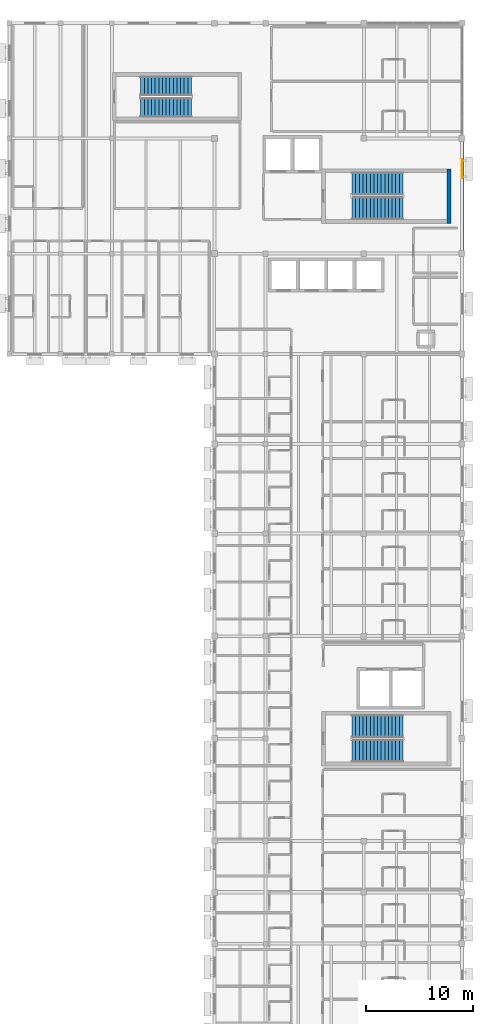
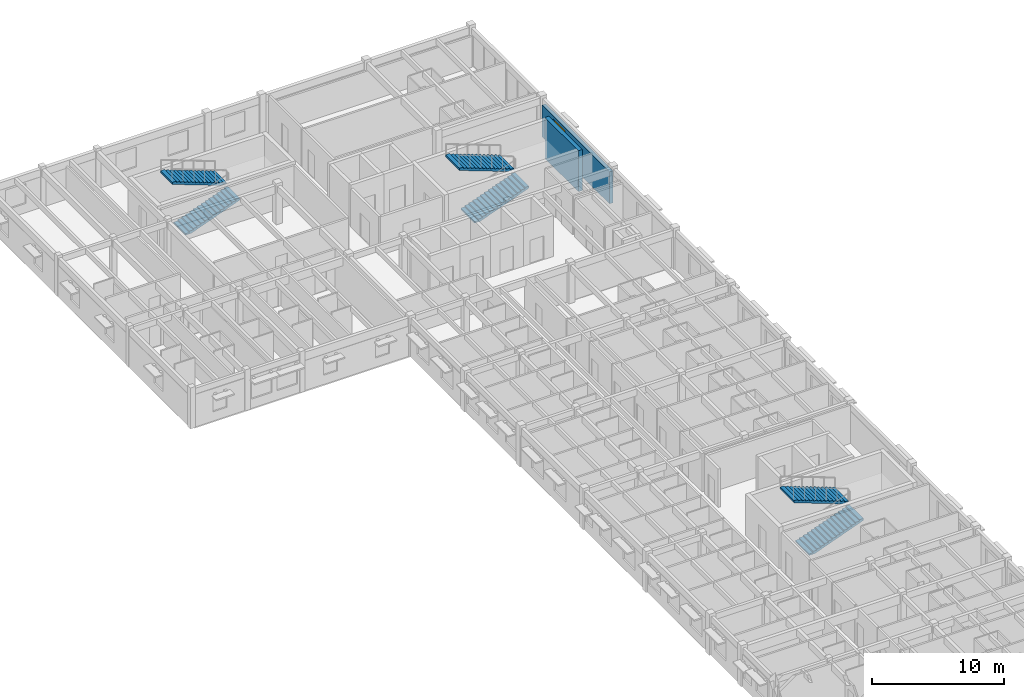
# One storey, part 21 of 31: 6 stair flights, 2 walls, 1 window, 1 opening, 3 elements without a shape of their own.
"""IFC4 building model written with IfcOpenShell, lengths in metres."""

from ifc_helpers import new_model, si_unit, direction, frame, frame_2d, origin, place, context, subcontext, project, spatial, polyline, rectangle, outline, extrude, material, layer, layer_set, type_object, element, fill, aggregate, save


model = new_model("IFC4")

# Units and contexts
model_context = context("Model", 3, precision=1e-05, world=origin(), true_north=direction((0.0, 1.0)))
body_context = subcontext(model_context, "Body", "Model", "MODEL_VIEW")
ifc_project = project(units=[si_unit("LENGTHUNIT", "METRE"), si_unit("AREAUNIT", "SQUARE_METRE"), si_unit("VOLUMEUNIT", "CUBIC_METRE"), si_unit("PLANEANGLEUNIT", "RADIAN"), si_unit("MASSUNIT", "GRAM", prefix="KILO")], contexts=[model_context])

# Site, building, storey
site_placement = place(None, origin())
site = spatial("IfcSite", under=ifc_project, at=site_placement, CompositionType="ELEMENT")
building_placement = place(site_placement, origin())
building = spatial("IfcBuilding", under=site, at=building_placement, Name="Veldera Park Congress Hotel", CompositionType="ELEMENT")
storey_placement = place(building_placement, frame((0.0, 0.0, 20.0)))
storey = spatial("IfcBuildingStorey", under=building, at=storey_placement, Name="L04", CompositionType="ELEMENT", Elevation=20.0)

# Wall, opening, window
ifc_material_1 = material(Name="Cross-laminated timber CLT V2M1.1", Category="wood")
ifc_layer_1 = layer(ifc_material_1, 0.320068359375)
ifc_layer_set_1 = layer_set([ifc_layer_1], Name="Cross-laminated timber CLT V2M1.1")
wall_type_1 = type_object("IfcWallType", Name="EW-CLT320", PredefinedType="STANDARD", material=ifc_layer_set_1)
wall_1_placement = place(storey_placement, frame((84.0, 36.677978515625, 0.0), z_axis=(0.0, 0.0, 1.0), x_axis=(0.0, 1.0, 0.0)))
wall_1 = element("IfcWall", 1, at=wall_1_placement, inside=storey, type_object=wall_type_1, Name="L04 Exterior Wall EW3-L04-0255", PredefinedType="STANDARD", context=body_context, shape_type="SweptSolid", body=[
    extrude(rectangle(XDim=10.244140625, YDim=0.320068359375, at=frame_2d((5.1220703125, 0.0))), origin(), (0.0, 0.0, 1.0), 2.965087890625),
])
opening_placement = place(wall_1_placement, frame((6.782958984375, 0.0, 0.85009765625)))
opening = element("IfcOpeningElement", 2, at=opening_placement, cuts=wall_1, Name="Opening WIN-1800", PredefinedType="OPENING", context=body_context, shape_type="SweptSolid", body=[
    extrude(rectangle(XDim=1.800048828125, YDim=1.85009765625, at=frame_2d((0.89990234375, 0.925048828125))), frame((0.0, 0.172119140625, 0.0), z_axis=(0.0, -1.0, 0.0), x_axis=(1.0, 0.0, 0.0)), (0.0, 0.0, 1.0), 0.343994140625),
])
ifc_material_2 = material(Name="Low-E Triple Insulating Glass Unit (SHGC 0.22)", Category="glass")
window_type = type_object("IfcWindowType", Name="WIN-1800", PartitioningType="SINGLE_PANEL", PredefinedType="WINDOW", material=ifc_material_2)
window_placement = place(opening_placement, origin())
window = element("IfcWindow", 3, at=window_placement, inside=storey, type_object=window_type, Name="L04 Window WIN-1800 204", OverallHeight=1.85009765625, OverallWidth=1.800048828125, PartitioningType="SINGLE_PANEL", PredefinedType="WINDOW", context=body_context, shape_type="SweptSolid", body=[
    extrude(rectangle(XDim=1.800048828125, YDim=1.85009765625, at=frame_2d((0.89990234375, 0.925048828125))), frame((0.0, 0.030029296875, 0.0), z_axis=(0.0, -1.0, 0.0), x_axis=(1.0, 0.0, 0.0)), (0.0, 0.0, 1.0), 0.06005859375),
])
fill(opening, window)

# Wall
ifc_material_3 = material(Name="Concrete f'c 40 MPa (5,800 psi)", Category="concrete")
ifc_layer_2 = layer(ifc_material_3, 0.35009765625)
ifc_layer_set_2 = layer_set([ifc_layer_2], Name="Concrete f'c 40 MPa (5,800 psi)")
wall_type_2 = type_object("IfcWallType", Name="SW-CORE350", PredefinedType="SHEAR", material=ifc_layer_set_2)
wall_2_placement = place(storey_placement, frame((82.77490234375, 39.25, 0.0), z_axis=(0.0, 0.0, 1.0), x_axis=(0.0, 1.0, 0.0)))
element("IfcWall", 4, at=wall_2_placement, inside=storey, type_object=wall_type_2, Name="Stair ST1 Core Wall L04-E", PredefinedType="SHEAR", context=body_context, shape_type="SweptSolid", body=[
    extrude(rectangle(XDim=5.10009765625, YDim=0.35009765625, at=frame_2d((2.550048828125, 0.0))), origin(), (0.0, 0.0, 1.0), 3.800048828125),
])

# Stair, stair flights
stair_type_1 = type_object("IfcStairType", Name="ST1", PredefinedType="HALF_TURN_STAIR", material=ifc_material_3)
stair_1_placement = place(storey_placement, origin())
stair_1 = element("IfcStair", 5, at=stair_1_placement, inside=storey, type_object=stair_type_1, Name="L04 Protected Exit Stair ST1", PredefinedType="HALF_TURN_STAIR")
stair_flight_type_1 = type_object("IfcStairFlightType", Name="SFL-ST1", PredefinedType="STRAIGHT", material=ifc_material_3)
stair_flight_1_placement = place(storey_placement, frame((73.699951171875, 40.64990234375, 0.0), z_axis=(0.0, 0.0, 1.0), x_axis=(1.0, 0.0, 0.0)))
stair_flight_1 = element("IfcStairFlight", 6, at=stair_flight_1_placement, type_object=stair_flight_type_1, Name="ST1 flight 1", NumberOfRisers=15, NumberOfTreads=14, PredefinedType="STRAIGHT", RiserHeight=0.126666667, TreadLength=0.34, context=body_context, shape_type="SweptSolid", body=[
    extrude(outline(polyline([(0.0, 0.0), (0.0, 0.126708984375), (0.340087890625, 0.126708984375), (0.340087890625, 0.25341796875), (0.679931640625, 0.25341796875), (0.679931640625, 0.3798828125), (1.02001953125, 0.3798828125), (1.02001953125, 0.506591796875), (1.360107421875, 0.506591796875), (1.360107421875, 0.63330078125), (1.699951171875, 0.63330078125), (1.699951171875, 0.760009765625), (2.0400390625, 0.760009765625), (2.0400390625, 0.88671875), (2.3798828125, 0.88671875), (2.3798828125, 1.013427734375), (2.719970703125, 1.013427734375), (2.719970703125, 1.139892578125), (3.06005859375, 1.139892578125), (3.06005859375, 1.2666015625), (3.39990234375, 1.2666015625), (3.39990234375, 1.393310546875), (3.739990234375, 1.393310546875), (3.739990234375, 1.52001953125), (4.080078125, 1.52001953125), (4.080078125, 1.646728515625), (4.419921875, 1.646728515625), (4.419921875, 1.7734375), (4.760009765625, 1.7734375), (4.760009765625, 1.89990234375), (4.760009765625, 1.89990234375), (4.760009765625, 1.581298828125), (0.515380859375, 0.0), (0.0, 0.0)])), frame((0.0, 1.050048828125, 0.0), z_axis=(0.0, -1.0, 0.0), x_axis=(1.0, 0.0, 0.0)), (0.0, 0.0, 1.0), 2.10009765625),
])
stair_flight_2_placement = place(storey_placement, frame((78.4599609375, 42.949951171875, 1.89990234375), z_axis=(0.0, 0.0, 1.0), x_axis=(-1.0, 0.0, 0.0)))
stair_flight_2 = element("IfcStairFlight", 7, at=stair_flight_2_placement, type_object=stair_flight_type_1, Name="ST1 flight 2", NumberOfRisers=15, NumberOfTreads=14, PredefinedType="STRAIGHT", RiserHeight=0.126666667, TreadLength=0.34, context=body_context, shape_type="SweptSolid", body=[
    extrude(outline(polyline([(0.0, 0.0), (0.0, 0.126708984375), (0.340087890625, 0.126708984375), (0.340087890625, 0.25341796875), (0.679931640625, 0.25341796875), (0.679931640625, 0.3798828125), (1.02001953125, 0.3798828125), (1.02001953125, 0.506591796875), (1.360107421875, 0.506591796875), (1.360107421875, 0.63330078125), (1.699951171875, 0.63330078125), (1.699951171875, 0.760009765625), (2.0400390625, 0.760009765625), (2.0400390625, 0.88671875), (2.3798828125, 0.88671875), (2.3798828125, 1.013427734375), (2.719970703125, 1.013427734375), (2.719970703125, 1.139892578125), (3.06005859375, 1.139892578125), (3.06005859375, 1.2666015625), (3.39990234375, 1.2666015625), (3.39990234375, 1.393310546875), (3.739990234375, 1.393310546875), (3.739990234375, 1.52001953125), (4.080078125, 1.52001953125), (4.080078125, 1.646728515625), (4.419921875, 1.646728515625), (4.419921875, 1.7734375), (4.760009765625, 1.7734375), (4.760009765625, 1.89990234375), (4.760009765625, 1.89990234375), (4.760009765625, 1.581298828125), (0.515380859375, 0.0), (0.0, 0.0)])), frame((0.0, 1.050048828125, 0.0), z_axis=(0.0, -1.0, 0.0), x_axis=(1.0, 0.0, 0.0)), (0.0, 0.0, 1.0), 2.10009765625),
])
aggregate(stair_1, [stair_flight_1, stair_flight_2])

stair_type_2 = type_object("IfcStairType", Name="ST2", PredefinedType="HALF_TURN_STAIR", material=ifc_material_3)
stair_2_placement = place(storey_placement, origin())
stair_2 = element("IfcStair", 8, at=stair_2_placement, inside=storey, type_object=stair_type_2, Name="L04 Protected Exit Stair ST2", PredefinedType="HALF_TURN_STAIR")
stair_flight_type_2 = type_object("IfcStairFlightType", Name="SFL-ST2", PredefinedType="STRAIGHT", material=ifc_material_3)
stair_flight_3_placement = place(storey_placement, frame((73.699951171875, -10.14990234375, 0.0), z_axis=(0.0, 0.0, 1.0), x_axis=(1.0, 0.0, 0.0)))
stair_flight_3 = element("IfcStairFlight", 9, at=stair_flight_3_placement, type_object=stair_flight_type_2, Name="ST2 flight 1", NumberOfRisers=15, NumberOfTreads=14, PredefinedType="STRAIGHT", RiserHeight=0.126666667, TreadLength=0.34, context=body_context, shape_type="SweptSolid", body=[
    extrude(outline(polyline([(0.0, 0.0), (0.0, 0.126708984375), (0.340087890625, 0.126708984375), (0.340087890625, 0.25341796875), (0.679931640625, 0.25341796875), (0.679931640625, 0.3798828125), (1.02001953125, 0.3798828125), (1.02001953125, 0.506591796875), (1.360107421875, 0.506591796875), (1.360107421875, 0.63330078125), (1.699951171875, 0.63330078125), (1.699951171875, 0.760009765625), (2.0400390625, 0.760009765625), (2.0400390625, 0.88671875), (2.3798828125, 0.88671875), (2.3798828125, 1.013427734375), (2.719970703125, 1.013427734375), (2.719970703125, 1.139892578125), (3.06005859375, 1.139892578125), (3.06005859375, 1.2666015625), (3.39990234375, 1.2666015625), (3.39990234375, 1.393310546875), (3.739990234375, 1.393310546875), (3.739990234375, 1.52001953125), (4.080078125, 1.52001953125), (4.080078125, 1.646728515625), (4.419921875, 1.646728515625), (4.419921875, 1.7734375), (4.760009765625, 1.7734375), (4.760009765625, 1.89990234375), (4.760009765625, 1.89990234375), (4.760009765625, 1.581298828125), (0.515380859375, 0.0), (0.0, 0.0)])), frame((0.0, 1.050048828125, 0.0), z_axis=(0.0, -1.0, 0.0), x_axis=(1.0, 0.0, 0.0)), (0.0, 0.0, 1.0), 2.10009765625),
])
stair_flight_4_placement = place(storey_placement, frame((78.4599609375, -7.85009765625, 1.89990234375), z_axis=(0.0, 0.0, 1.0), x_axis=(-1.0, 0.0, 0.0)))
stair_flight_4 = element("IfcStairFlight", 10, at=stair_flight_4_placement, type_object=stair_flight_type_2, Name="ST2 flight 2", NumberOfRisers=15, NumberOfTreads=14, PredefinedType="STRAIGHT", RiserHeight=0.126666667, TreadLength=0.34, context=body_context, shape_type="SweptSolid", body=[
    extrude(outline(polyline([(0.0, 0.0), (0.0, 0.126708984375), (0.340087890625, 0.126708984375), (0.340087890625, 0.25341796875), (0.679931640625, 0.25341796875), (0.679931640625, 0.3798828125), (1.02001953125, 0.3798828125), (1.02001953125, 0.506591796875), (1.360107421875, 0.506591796875), (1.360107421875, 0.63330078125), (1.699951171875, 0.63330078125), (1.699951171875, 0.760009765625), (2.0400390625, 0.760009765625), (2.0400390625, 0.88671875), (2.3798828125, 0.88671875), (2.3798828125, 1.013427734375), (2.719970703125, 1.013427734375), (2.719970703125, 1.139892578125), (3.06005859375, 1.139892578125), (3.06005859375, 1.2666015625), (3.39990234375, 1.2666015625), (3.39990234375, 1.393310546875), (3.739990234375, 1.393310546875), (3.739990234375, 1.52001953125), (4.080078125, 1.52001953125), (4.080078125, 1.646728515625), (4.419921875, 1.646728515625), (4.419921875, 1.7734375), (4.760009765625, 1.7734375), (4.760009765625, 1.89990234375), (4.760009765625, 1.89990234375), (4.760009765625, 1.581298828125), (0.515380859375, 0.0), (0.0, 0.0)])), frame((0.0, 1.050048828125, 0.0), z_axis=(0.0, -1.0, 0.0), x_axis=(1.0, 0.0, 0.0)), (0.0, 0.0, 1.0), 2.10009765625),
])
aggregate(stair_2, [stair_flight_3, stair_flight_4])

stair_type_3 = type_object("IfcStairType", Name="ST3", PredefinedType="HALF_TURN_STAIR", material=ifc_material_3)
stair_3_placement = place(storey_placement, origin())
stair_3 = element("IfcStair", 11, at=stair_3_placement, inside=storey, type_object=stair_type_3, Name="L04 Protected Exit Stair ST3", PredefinedType="HALF_TURN_STAIR")
stair_flight_type_3 = type_object("IfcStairFlightType", Name="SFL-ST3", PredefinedType="STRAIGHT", material=ifc_material_3)
stair_flight_5_placement = place(storey_placement, frame((53.89990234375, 50.10009765625, 0.0), z_axis=(0.0, 0.0, 1.0), x_axis=(1.0, 0.0, 0.0)))
stair_flight_5 = element("IfcStairFlight", 12, at=stair_flight_5_placement, type_object=stair_flight_type_3, Name="ST3 flight 1", NumberOfRisers=15, NumberOfTreads=14, PredefinedType="STRAIGHT", RiserHeight=0.126666667, TreadLength=0.34, context=body_context, shape_type="SweptSolid", body=[
    extrude(outline(polyline([(0.0, 0.0), (0.0, 0.126708984375), (0.340087890625, 0.126708984375), (0.340087890625, 0.25341796875), (0.679931640625, 0.25341796875), (0.679931640625, 0.3798828125), (1.02001953125, 0.3798828125), (1.02001953125, 0.506591796875), (1.360107421875, 0.506591796875), (1.360107421875, 0.63330078125), (1.699951171875, 0.63330078125), (1.699951171875, 0.760009765625), (2.0400390625, 0.760009765625), (2.0400390625, 0.88671875), (2.3798828125, 0.88671875), (2.3798828125, 1.013427734375), (2.719970703125, 1.013427734375), (2.719970703125, 1.139892578125), (3.06005859375, 1.139892578125), (3.06005859375, 1.2666015625), (3.39990234375, 1.2666015625), (3.39990234375, 1.393310546875), (3.739990234375, 1.393310546875), (3.739990234375, 1.52001953125), (4.080078125, 1.52001953125), (4.080078125, 1.646728515625), (4.419921875, 1.646728515625), (4.419921875, 1.7734375), (4.760009765625, 1.7734375), (4.760009765625, 1.89990234375), (4.760009765625, 1.89990234375), (4.760009765625, 1.581298828125), (0.515380859375, 0.0), (0.0, 0.0)])), frame((0.0, 0.89990234375, 0.0), z_axis=(0.0, -1.0, 0.0), x_axis=(1.0, 0.0, 0.0)), (0.0, 0.0, 1.0), 1.800048828125),
])
stair_flight_6_placement = place(storey_placement, frame((58.659912109375, 52.10009765625, 1.89990234375), z_axis=(0.0, 0.0, 1.0), x_axis=(-1.0, 0.0, 0.0)))
stair_flight_6 = element("IfcStairFlight", 13, at=stair_flight_6_placement, type_object=stair_flight_type_3, Name="ST3 flight 2", NumberOfRisers=15, NumberOfTreads=14, PredefinedType="STRAIGHT", RiserHeight=0.126666667, TreadLength=0.34, context=body_context, shape_type="SweptSolid", body=[
    extrude(outline(polyline([(0.0, 0.0), (0.0, 0.126708984375), (0.340087890625, 0.126708984375), (0.340087890625, 0.25341796875), (0.679931640625, 0.25341796875), (0.679931640625, 0.3798828125), (1.02001953125, 0.3798828125), (1.02001953125, 0.506591796875), (1.360107421875, 0.506591796875), (1.360107421875, 0.63330078125), (1.699951171875, 0.63330078125), (1.699951171875, 0.760009765625), (2.0400390625, 0.760009765625), (2.0400390625, 0.88671875), (2.3798828125, 0.88671875), (2.3798828125, 1.013427734375), (2.719970703125, 1.013427734375), (2.719970703125, 1.139892578125), (3.06005859375, 1.139892578125), (3.06005859375, 1.2666015625), (3.39990234375, 1.2666015625), (3.39990234375, 1.393310546875), (3.739990234375, 1.393310546875), (3.739990234375, 1.52001953125), (4.080078125, 1.52001953125), (4.080078125, 1.646728515625), (4.419921875, 1.646728515625), (4.419921875, 1.7734375), (4.760009765625, 1.7734375), (4.760009765625, 1.89990234375), (4.760009765625, 1.89990234375), (4.760009765625, 1.581298828125), (0.515380859375, 0.0), (0.0, 0.0)])), frame((0.0, 0.89990234375, 0.0), z_axis=(0.0, -1.0, 0.0), x_axis=(1.0, 0.0, 0.0)), (0.0, 0.0, 1.0), 1.800048828125),
])
aggregate(stair_3, [stair_flight_5, stair_flight_6])

save(model, "model.ifc")
